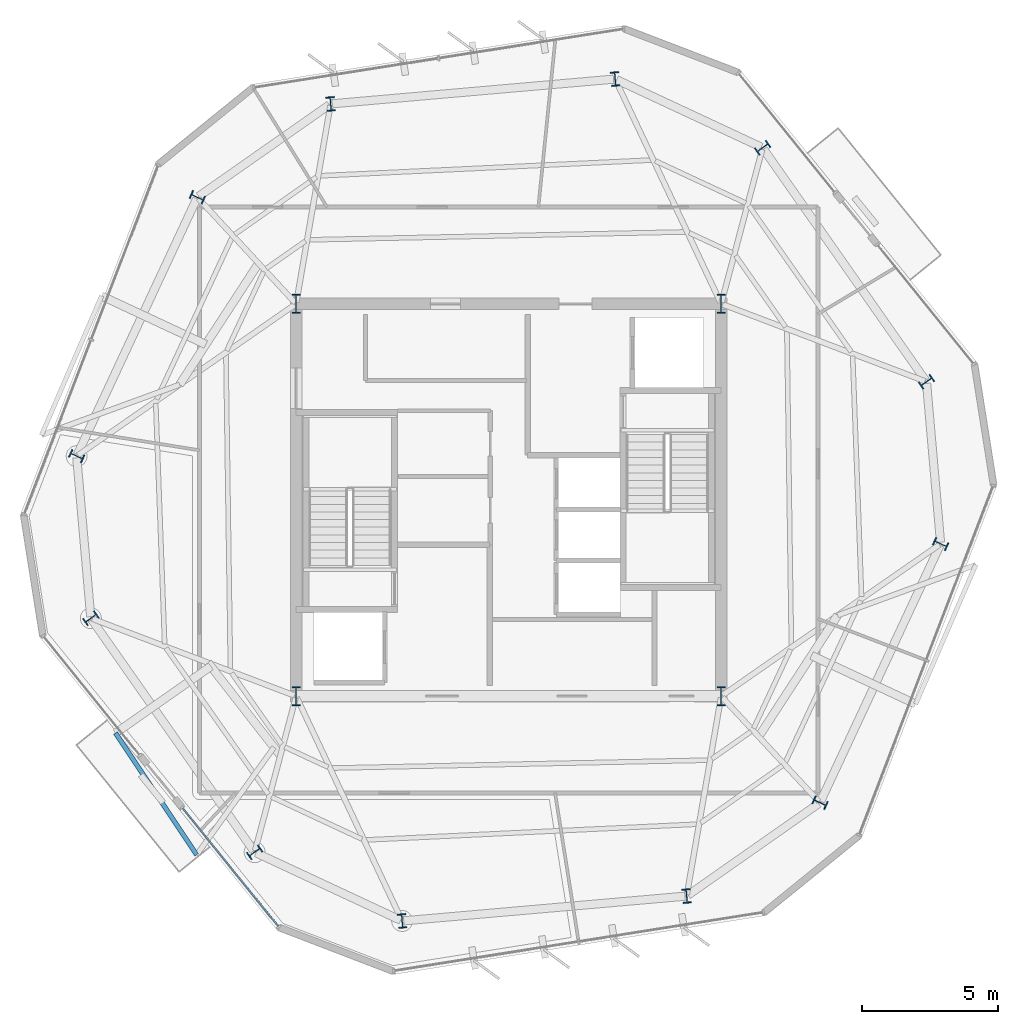
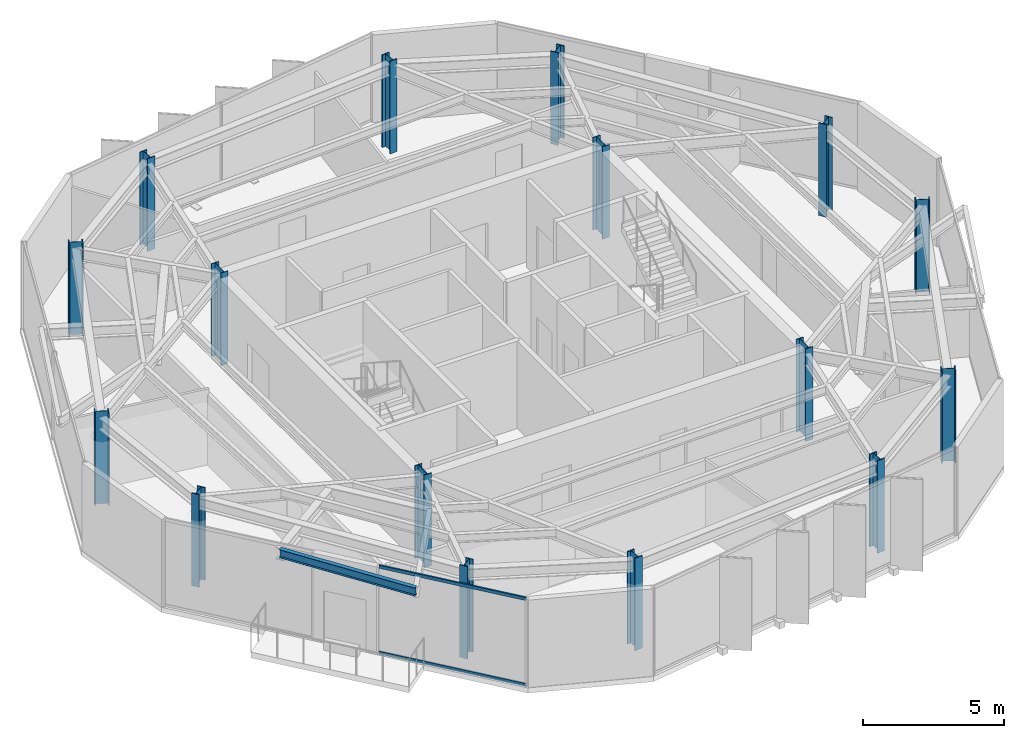
# One storey, part 1 of 10: 16 columns, 2 members, 1 beam, 1 element without a shape of its own.
"""IFC4 building model written with IfcOpenShell, lengths in metres."""

from ifc_helpers import new_model, si_unit, direction, frame, origin, origin_2d, place, context, subcontext, project, spatial, rectangle, i_section, extrude, material, layer, layer_set, material_profile, profile_set, type_object, element, aggregate, save


model = new_model("IFC4")

# Units and contexts
model_context = context("Model", 3, precision=1e-05, world=origin(), true_north=direction((0.0, 1.0)))
body_context = subcontext(model_context, "Body", "Model", "MODEL_VIEW")
ifc_project = project(units=[si_unit("LENGTHUNIT", "METRE"), si_unit("AREAUNIT", "SQUARE_METRE"), si_unit("VOLUMEUNIT", "CUBIC_METRE"), si_unit("PLANEANGLEUNIT", "RADIAN"), si_unit("MASSUNIT", "GRAM", prefix="KILO")], contexts=[model_context])

# Site, building, storey
site_placement = place(None, origin())
site = spatial("IfcSite", under=ifc_project, at=site_placement, CompositionType="ELEMENT")
building_placement = place(site_placement, origin())
building = spatial("IfcBuilding", under=site, at=building_placement, Name="Kranzbogen Civic Tower", CompositionType="ELEMENT")
storey_placement = place(building_placement, frame((0.0, 0.0, 302.199951171875)))
storey = spatial("IfcBuildingStorey", under=building, at=storey_placement, Name="L73", CompositionType="ELEMENT", Elevation=302.199951171875)

# Columns
ifc_material_1 = material(Name="Steel S355", Category="steel")
ifc_material_profile_1 = material_profile(ifc_material_1, i_section(OverallWidth=0.300048828125, OverallDepth=0.699951171875, WebThickness=0.01708984375, FlangeThickness=0.031982421875, at=origin_2d()), Name="HEB 700")
ifc_profile_set_1 = profile_set([ifc_material_profile_1], Name="Steel S355")
column_type_1 = type_object("IfcColumnType", Name="Structural Column HEB 700", PredefinedType="COLUMN", material=ifc_profile_set_1)
for number, where, z_axis, x_axis, name in (
    (1, (17.199951171875, 17.800048828125, 0.0), (0.0, 0.0, 1.0), (1.0, 0.0, 0.0), "L73 composite core corner column 1"),
    (2, (32.800048828125, 17.800048828125, 0.0), (0.0, 0.0, 1.0), (1.0, 0.0, 0.0), "L73 composite core corner column 2"),
    (3, (32.800048828125, 32.199951171875, 0.0), (0.0, 0.0, 1.0), (1.0, 0.0, 0.0), "L73 composite core corner column 3"),
    (4, (17.199951171875, 32.199951171875, 0.0), (0.0, 0.0, 1.0), (1.0, 0.0, 0.0), "L73 composite core corner column 4"),
):
    element("IfcColumn", number, at=place(storey_placement, frame(where, z_axis=z_axis, x_axis=x_axis)), inside=storey, type_object=column_type_1, Name=name, PredefinedType="COLUMN", context=body_context, shape_type="SweptSolid", body=[
        extrude(i_section(OverallWidth=0.300048828125, OverallDepth=0.699951171875, WebThickness=0.01708984375, FlangeThickness=0.031982421875, at=origin_2d()), origin(), (0.0, 0.0, 1.0), 4.0),
    ])
ifc_material_profile_2 = material_profile(ifc_material_1, i_section(OverallWidth=0.305908203125, OverallDepth=0.52392578125, WebThickness=0.02099609375, FlangeThickness=0.0400390625, at=origin_2d()), Name="HEM 500")
ifc_profile_set_2 = profile_set([ifc_material_profile_2], Name="Steel S355")
column_type_2 = type_object("IfcColumnType", Name="Structural Column HEM 500", PredefinedType="COLUMN", material=ifc_profile_set_2)
for number, where, z_axis, x_axis, name in (
    (5, (28.908935546875, 40.449951171875, 0.0), (0.0, 0.0, 1.0), (0.996194698092, 0.087155742748, 0.0), "L73 tower perimeter tube column 01"),
    (6, (18.467041015625, 39.535888671875, 0.0), (0.0, 0.0, 1.0), (0.996194698092, 0.087155742748, 0.0), "L73 tower perimeter tube column 02"),
    (7, (13.574951171875, 36.110107421875, 0.0), (0.0, 0.0, 1.0), (0.422618261741, 0.906307787037, 0.0), "L73 tower perimeter tube column 03"),
    (8, (9.14501953125, 26.610107421875, 0.0), (0.0, 0.0, 1.0), (0.422618261741, 0.906307787037, 0.0), "L73 tower perimeter tube column 04"),
    (9, (9.666015625, 20.660888671875, 0.0), (0.0, 0.0, 1.0), (-0.573576436351, 0.819152044289, 0.0), "L73 tower perimeter tube column 05"),
    (10, (15.677978515625, 12.073974609375, 0.0), (0.0, 0.0, 1.0), (-0.573576436351, 0.819152044289, 0.0), "L73 tower perimeter tube column 06"),
    (11, (21.091064453125, 9.550048828125, 0.0), (0.0, 0.0, 1.0), (0.996194698092, 0.087155742748, 0.0), "L73 tower perimeter tube column 07"),
    (12, (31.532958984375, 10.464111328125, 0.0), (0.0, 0.0, 1.0), (0.996194698092, 0.087155742748, 0.0), "L73 tower perimeter tube column 08"),
    (13, (36.425048828125, 13.889892578125, 0.0), (0.0, 0.0, 1.0), (0.422618261741, 0.906307787037, 0.0), "L73 tower perimeter tube column 09"),
    (14, (40.85498046875, 23.389892578125, 0.0), (0.0, 0.0, 1.0), (0.422618261741, 0.906307787037, 0.0), "L73 tower perimeter tube column 10"),
    (15, (40.333984375, 29.339111328125, 0.0), (0.0, 0.0, 1.0), (-0.573576436351, 0.819152044289, 0.0), "L73 tower perimeter tube column 11"),
    (16, (34.322021484375, 37.926025390625, 0.0), (0.0, 0.0, 1.0), (-0.573576436351, 0.819152044289, 0.0), "L73 tower perimeter tube column 12"),
):
    element("IfcColumn", number, at=place(storey_placement, frame(where, z_axis=z_axis, x_axis=x_axis)), inside=storey, type_object=column_type_2, Name=name, PredefinedType="COLUMN", context=body_context, shape_type="SweptSolid", body=[
        extrude(i_section(OverallWidth=0.305908203125, OverallDepth=0.52392578125, WebThickness=0.02099609375, FlangeThickness=0.0400390625, at=origin_2d()), origin(), (0.0, 0.0, 1.0), 4.0),
    ])

# Curtain wall, members
ifc_material_2 = material(Name="Pale Anodised Aluminium", Category="aluminium")
ifc_layer = layer(ifc_material_2, 0.219970703125, Name="Pale Anodised Aluminium")
ifc_layer_set = layer_set([ifc_layer], Name="Pale Anodised Aluminium")
curtain_wall_type = type_object("IfcCurtainWallType", Name="Zone 4 Stick Curtain Wall System CW-05", PredefinedType="USERDEFINED", material=ifc_layer_set)
curtain_wall_placement = place(storey_placement, origin())
curtain_wall = element("IfcCurtainWall", 17, at=curtain_wall_placement, inside=storey, type_object=curtain_wall_type, Name="L73 curtain wall CW-L73-F3-S2", ObjectType="STICK CURTAIN WALL", PredefinedType="USERDEFINED")
ifc_material_profile_3 = material_profile(ifc_material_2, rectangle(XDim=0.06494140625, YDim=0.135009765625, at=origin_2d()), Name="ALU-T 65x135")
ifc_profile_set_3 = profile_set([ifc_material_profile_3], Name="Pale Anodised Aluminium")
member_type = type_object("IfcMemberType", Name="Curtain Wall Transom ALU-T 65x135", PredefinedType="USERDEFINED", material=ifc_profile_set_3)
member_1_placement = place(storey_placement, frame((13.037841796875, 13.6923828125, 0.030029296875), z_axis=(0.629268726536, -0.777187795712, 0.0), x_axis=(0.777187795712, 0.629268726536, 0.0)))
member_1 = element("IfcMember", 18, at=member_1_placement, type_object=member_type, Name="CW-05 transom 1.1", ObjectType="TRANSOM", PredefinedType="USERDEFINED", context=body_context, shape_type="SweptSolid", body=[
    extrude(rectangle(XDim=0.06494140625, YDim=0.135009765625, at=origin_2d()), origin(), (0.0, 0.0, 1.0), 5.57861328125),
])
member_2_placement = place(storey_placement, frame((13.037841796875, 13.6923828125, 3.75), z_axis=(0.629268726536, -0.777187795712, 0.0), x_axis=(0.777187795712, 0.629268726536, 0.0)))
member_2 = element("IfcMember", 19, at=member_2_placement, type_object=member_type, Name="CW-05 transom 1.2", ObjectType="TRANSOM", PredefinedType="USERDEFINED", context=body_context, shape_type="SweptSolid", body=[
    extrude(rectangle(XDim=0.06494140625, YDim=0.135009765625, at=origin_2d()), origin(), (0.0, 0.0, 1.0), 5.57861328125),
])
aggregate(curtain_wall, [member_1, member_2])

# Beam
ifc_material_profile_4 = material_profile(ifc_material_1, i_section(OverallWidth=0.169921875, OverallDepth=0.360107421875, WebThickness=0.008056640625, FlangeThickness=0.0126953125, at=origin_2d()), Name="IPE 360")
ifc_profile_set_4 = profile_set([ifc_material_profile_4], Name="Steel S355")
beam_type = type_object("IfcBeamType", Name="Secondary Composite Floor Joist IPE 360", PredefinedType="JOIST", material=ifc_profile_set_4)
beam_placement = place(storey_placement, frame((10.572998046875, 16.447021484375, 3.5400390625), z_axis=(0.554238600852, -0.832357839709, 0.0), x_axis=(0.832357839709, 0.554238600852, 0.0)))
element("IfcBeam", 20, at=beam_placement, inside=storey, type_object=beam_type, Name="L74 terrace outer edge trimmer L74-ST", PredefinedType="JOIST", context=body_context, shape_type="SweptSolid", body=[
    extrude(i_section(OverallWidth=0.169921875, OverallDepth=0.360107421875, WebThickness=0.008056640625, FlangeThickness=0.0126953125, at=origin_2d()), origin(), (0.0, 0.0, 1.0), 5.371337890625),
])

save(model, "model.ifc")
